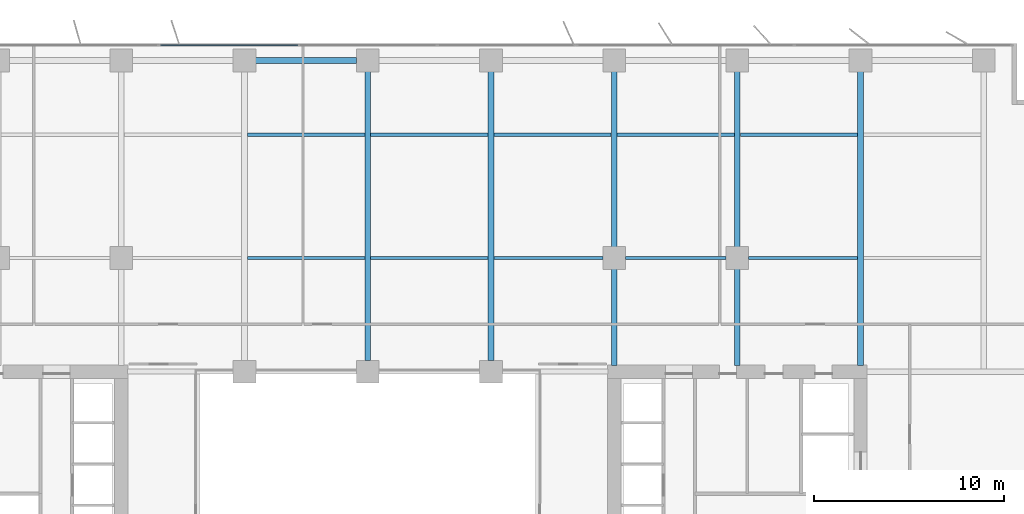
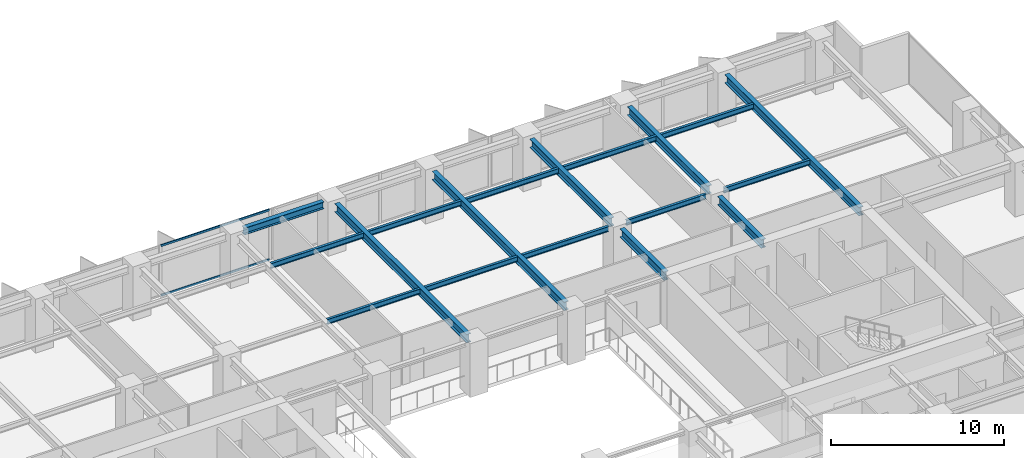
# One storey, part 8 of 20: 18 beams, 2 members, 1 element without a shape of its own.
"""IFC4 building model written with IfcOpenShell, lengths in metres."""

from ifc_helpers import new_model, si_unit, direction, frame, origin, origin_2d, place, context, subcontext, project, spatial, rectangle, i_section, extrude, material, layer, layer_set, material_profile, profile_set, type_object, element, aggregate, save


model = new_model("IFC4")

# Units and contexts
model_context = context("Model", 3, precision=1e-05, world=origin(), true_north=direction((0.0, 1.0)))
body_context = subcontext(model_context, "Body", "Model", "MODEL_VIEW")
ifc_project = project(units=[si_unit("LENGTHUNIT", "METRE"), si_unit("AREAUNIT", "SQUARE_METRE"), si_unit("VOLUMEUNIT", "CUBIC_METRE"), si_unit("PLANEANGLEUNIT", "RADIAN"), si_unit("MASSUNIT", "GRAM", prefix="KILO")], contexts=[model_context])

# Site, building, storey
site_placement = place(None, origin())
site = spatial("IfcSite", under=ifc_project, at=site_placement, CompositionType="ELEMENT")
building_placement = place(site_placement, origin())
building = spatial("IfcBuilding", under=site, at=building_placement, Name="Putna Gate Headquarters", CompositionType="ELEMENT")
storey_placement = place(building_placement, frame((0.0, 0.0, 97.39990234375)))
storey = spatial("IfcBuildingStorey", under=building, at=storey_placement, Name="L23", CompositionType="ELEMENT", Elevation=97.39990234375)

# Beams
ifc_material_1 = material(Name="Steel S355J2", Category="steel")
ifc_material_profile_1 = material_profile(ifc_material_1, i_section(OverallWidth=0.300048828125, OverallDepth=0.60009765625, WebThickness=0.015380859375, FlangeThickness=0.030029296875, at=origin_2d()), Name="Steel S355J2")
ifc_profile_set_1 = profile_set([ifc_material_profile_1], Name="Steel S355J2")
beam_type_1 = type_object("IfcBeamType", Name="BM-GIRD-Z2-HEB600", PredefinedType="USERDEFINED", material=ifc_profile_set_1)
for number, where, z_axis, x_axis, name in (
    (1, (39.0, 33.587890625, 3.26513671875), (0.0, 1.0, 0.0), (-1.0, 0.0, 0.0), "L23 North Primary Girder X39"),
    (2, (45.5, 33.587890625, 3.26513671875), (0.0, 1.0, 0.0), (-1.0, 0.0, 0.0), "L23 North Primary Girder X45"),
):
    element("IfcBeam", number, at=place(storey_placement, frame(where, z_axis=z_axis, x_axis=x_axis)), inside=storey, type_object=beam_type_1, Name=name, ObjectType="GIRDER", PredefinedType="USERDEFINED", context=body_context, shape_type="SweptSolid", body=[
        extrude(i_section(OverallWidth=0.300048828125, OverallDepth=0.60009765625, WebThickness=0.015380859375, FlangeThickness=0.030029296875, at=origin_2d()), origin(), (0.0, 0.0, 1.0), 15.244140625),
    ])
beam_1_placement = place(storey_placement, frame((52.0, 33.3349609375, 3.26513671875), z_axis=(0.0, 1.0, 0.0), x_axis=(-1.0, 0.0, 0.0)))
element("IfcBeam", 3, at=beam_1_placement, inside=storey, type_object=beam_type_1, Name="L23 North Primary Girder X52-1", ObjectType="GIRDER", PredefinedType="USERDEFINED", context=body_context, shape_type="SweptSolid", body=[
    extrude(i_section(OverallWidth=0.300048828125, OverallDepth=0.60009765625, WebThickness=0.015380859375, FlangeThickness=0.030029296875, at=origin_2d()), origin(), (0.0, 0.0, 1.0), 5.0771484375),
])
beam_2_placement = place(storey_placement, frame((52.0, 39.587890625, 3.26513671875), z_axis=(0.0, 1.0, 0.0), x_axis=(-1.0, 0.0, 0.0)))
element("IfcBeam", 4, at=beam_2_placement, inside=storey, type_object=beam_type_1, Name="L23 North Primary Girder X52-2", ObjectType="GIRDER", PredefinedType="USERDEFINED", context=body_context, shape_type="SweptSolid", body=[
    extrude(i_section(OverallWidth=0.300048828125, OverallDepth=0.60009765625, WebThickness=0.015380859375, FlangeThickness=0.030029296875, at=origin_2d()), origin(), (0.0, 0.0, 1.0), 9.244140625),
])
beam_3_placement = place(storey_placement, frame((58.5, 33.3349609375, 3.26513671875), z_axis=(0.0, 1.0, 0.0), x_axis=(-1.0, 0.0, 0.0)))
element("IfcBeam", 5, at=beam_3_placement, inside=storey, type_object=beam_type_1, Name="L23 North Primary Girder X58-1", ObjectType="GIRDER", PredefinedType="USERDEFINED", context=body_context, shape_type="SweptSolid", body=[
    extrude(i_section(OverallWidth=0.300048828125, OverallDepth=0.60009765625, WebThickness=0.015380859375, FlangeThickness=0.030029296875, at=origin_2d()), origin(), (0.0, 0.0, 1.0), 5.0771484375),
])
beam_4_placement = place(storey_placement, frame((58.5, 39.587890625, 3.26513671875), z_axis=(0.0, 1.0, 0.0), x_axis=(-1.0, 0.0, 0.0)))
element("IfcBeam", 6, at=beam_4_placement, inside=storey, type_object=beam_type_1, Name="L23 North Primary Girder X58-2", ObjectType="GIRDER", PredefinedType="USERDEFINED", context=body_context, shape_type="SweptSolid", body=[
    extrude(i_section(OverallWidth=0.300048828125, OverallDepth=0.60009765625, WebThickness=0.015380859375, FlangeThickness=0.030029296875, at=origin_2d()), origin(), (0.0, 0.0, 1.0), 9.244140625),
])
beam_5_placement = place(storey_placement, frame((65.0, 33.3349609375, 3.26513671875), z_axis=(0.0, 1.0, 0.0), x_axis=(-1.0, 0.0, 0.0)))
element("IfcBeam", 7, at=beam_5_placement, inside=storey, type_object=beam_type_1, Name="L23 North Primary Girder X65", ObjectType="GIRDER", PredefinedType="USERDEFINED", context=body_context, shape_type="SweptSolid", body=[
    extrude(i_section(OverallWidth=0.300048828125, OverallDepth=0.60009765625, WebThickness=0.015380859375, FlangeThickness=0.030029296875, at=origin_2d()), origin(), (0.0, 0.0, 1.0), 15.4970703125),
])
ifc_material_profile_2 = material_profile(ifc_material_1, i_section(OverallWidth=0.169921875, OverallDepth=0.360107421875, WebThickness=0.008056640625, FlangeThickness=0.0126953125, at=origin_2d()), Name="Steel S355J2")
ifc_profile_set_2 = profile_set([ifc_material_profile_2], Name="Steel S355J2")
beam_type_2 = type_object("IfcBeamType", Name="BM-SEC-Z2-IPE360", PredefinedType="BEAM", material=ifc_profile_set_2)
for number, where, z_axis, x_axis, name in (
    (8, (32.654052734375, 39.0, 3.385009765625), (1.0, 0.0, 0.0), (0.0, 1.0, 0.0), "L23 North Secondary Beam 5"),
    (9, (32.654052734375, 45.5, 3.385009765625), (1.0, 0.0, 0.0), (0.0, 1.0, 0.0), "L23 North Secondary Beam 5"),
    (10, (39.154052734375, 39.0, 3.385009765625), (1.0, 0.0, 0.0), (0.0, 1.0, 0.0), "L23 North Secondary Beam 6"),
    (11, (39.154052734375, 45.5, 3.385009765625), (1.0, 0.0, 0.0), (0.0, 1.0, 0.0), "L23 North Secondary Beam 6"),
):
    element("IfcBeam", number, at=place(storey_placement, frame(where, z_axis=z_axis, x_axis=x_axis)), inside=storey, type_object=beam_type_2, Name=name, PredefinedType="BEAM", context=body_context, shape_type="SweptSolid", body=[
        extrude(i_section(OverallWidth=0.169921875, OverallDepth=0.360107421875, WebThickness=0.008056640625, FlangeThickness=0.0126953125, at=origin_2d()), origin(), (0.0, 0.0, 1.0), 6.19189453125),
    ])
beam_6_placement = place(storey_placement, frame((45.654052734375, 39.0, 3.385009765625), z_axis=(1.0, 0.0, 0.0), x_axis=(0.0, 1.0, 0.0)))
element("IfcBeam", 12, at=beam_6_placement, inside=storey, type_object=beam_type_2, Name="L23 North Secondary Beam 7", PredefinedType="BEAM", context=body_context, shape_type="SweptSolid", body=[
    extrude(i_section(OverallWidth=0.169921875, OverallDepth=0.360107421875, WebThickness=0.008056640625, FlangeThickness=0.0126953125, at=origin_2d()), origin(), (0.0, 0.0, 1.0), 5.758056640625),
])
beam_7_placement = place(storey_placement, frame((45.654052734375, 45.5, 3.385009765625), z_axis=(1.0, 0.0, 0.0), x_axis=(0.0, 1.0, 0.0)))
element("IfcBeam", 13, at=beam_7_placement, inside=storey, type_object=beam_type_2, Name="L23 North Secondary Beam 7", PredefinedType="BEAM", context=body_context, shape_type="SweptSolid", body=[
    extrude(i_section(OverallWidth=0.169921875, OverallDepth=0.360107421875, WebThickness=0.008056640625, FlangeThickness=0.0126953125, at=origin_2d()), origin(), (0.0, 0.0, 1.0), 6.19189453125),
])
beam_8_placement = place(storey_placement, frame((52.587890625, 39.0, 3.385009765625), z_axis=(1.0, 0.0, 0.0), x_axis=(0.0, 1.0, 0.0)))
element("IfcBeam", 14, at=beam_8_placement, inside=storey, type_object=beam_type_2, Name="L23 North Secondary Beam 8", PredefinedType="BEAM", context=body_context, shape_type="SweptSolid", body=[
    extrude(i_section(OverallWidth=0.169921875, OverallDepth=0.360107421875, WebThickness=0.008056640625, FlangeThickness=0.0126953125, at=origin_2d()), origin(), (0.0, 0.0, 1.0), 5.32421875),
])
beam_9_placement = place(storey_placement, frame((52.154052734375, 45.5, 3.385009765625), z_axis=(1.0, 0.0, 0.0), x_axis=(0.0, 1.0, 0.0)))
element("IfcBeam", 15, at=beam_9_placement, inside=storey, type_object=beam_type_2, Name="L23 North Secondary Beam 8", PredefinedType="BEAM", context=body_context, shape_type="SweptSolid", body=[
    extrude(i_section(OverallWidth=0.169921875, OverallDepth=0.360107421875, WebThickness=0.008056640625, FlangeThickness=0.0126953125, at=origin_2d()), origin(), (0.0, 0.0, 1.0), 6.19189453125),
])
beam_10_placement = place(storey_placement, frame((59.087890625, 39.0, 3.385009765625), z_axis=(1.0, 0.0, 0.0), x_axis=(0.0, 1.0, 0.0)))
element("IfcBeam", 16, at=beam_10_placement, inside=storey, type_object=beam_type_2, Name="L23 North Secondary Beam 9", PredefinedType="BEAM", context=body_context, shape_type="SweptSolid", body=[
    extrude(i_section(OverallWidth=0.169921875, OverallDepth=0.360107421875, WebThickness=0.008056640625, FlangeThickness=0.0126953125, at=origin_2d()), origin(), (0.0, 0.0, 1.0), 5.758056640625),
])
beam_11_placement = place(storey_placement, frame((58.654052734375, 45.5, 3.385009765625), z_axis=(1.0, 0.0, 0.0), x_axis=(0.0, 1.0, 0.0)))
element("IfcBeam", 17, at=beam_11_placement, inside=storey, type_object=beam_type_2, Name="L23 North Secondary Beam 9", PredefinedType="BEAM", context=body_context, shape_type="SweptSolid", body=[
    extrude(i_section(OverallWidth=0.169921875, OverallDepth=0.360107421875, WebThickness=0.008056640625, FlangeThickness=0.0126953125, at=origin_2d()), origin(), (0.0, 0.0, 1.0), 6.19189453125),
])
ifc_material_profile_3 = material_profile(ifc_material_1, i_section(OverallWidth=0.300048828125, OverallDepth=0.489990234375, WebThickness=0.011962890625, FlangeThickness=0.02294921875, at=origin_2d()), Name="Steel S355J2")
ifc_profile_set_3 = profile_set([ifc_material_profile_3], Name="Steel S355J2")
beam_type_3 = type_object("IfcBeamType", Name="BM-SPAN-Z2-HEA500", PredefinedType="SPANDREL", material=ifc_profile_set_3)
beam_12_placement = place(storey_placement, frame((33.087890625, 49.419921875, 3.320068359375), z_axis=(1.0, 0.0, 0.0), x_axis=(0.0, 1.0, 0.0)))
element("IfcBeam", 18, at=beam_12_placement, inside=storey, type_object=beam_type_3, Name="L23 N Perimeter Spandrel 5", PredefinedType="SPANDREL", context=body_context, shape_type="SweptSolid", body=[
    extrude(i_section(OverallWidth=0.300048828125, OverallDepth=0.489990234375, WebThickness=0.011962890625, FlangeThickness=0.02294921875, at=origin_2d()), origin(), (0.0, 0.0, 1.0), 5.32421875),
])

# Curtain wall, members
ifc_material_2 = material(Name="Anodised bronze aluminium curtain wall", Category="aluminium")
ifc_layer = layer(ifc_material_2, 0.179931640625)
ifc_layer_set = layer_set([ifc_layer], Name="Anodised bronze aluminium curtain wall")
curtain_wall_type = type_object("IfcCurtainWallType", Name="CW-SYS-ATR", PredefinedType="USERDEFINED", material=ifc_layer_set)
curtain_wall_placement = place(storey_placement, origin())
curtain_wall = element("IfcCurtainWall", 19, at=curtain_wall_placement, inside=storey, type_object=curtain_wall_type, Name="L23 North Atrium Clear Glazing", ObjectType="ATRIUM GLAZING", PredefinedType="USERDEFINED")
ifc_material_3 = material(Name="Anodised bronze aluminium EN AW-6060", Category="aluminium")
ifc_material_profile_4 = material_profile(ifc_material_3, rectangle(XDim=0.070068359375, YDim=0.139892578125, at=origin_2d()), Name="Anodised bronze aluminium EN AW-6060")
ifc_profile_set_4 = profile_set([ifc_material_profile_4], Name="Anodised bronze aluminium EN AW-6060")
member_type = type_object("IfcMemberType", Name="TRAN-CWT-AT", PredefinedType="USERDEFINED", material=ifc_profile_set_4)
member_1_placement = place(storey_placement, frame((28.070068359375, 50.219970703125, 0.03515625), z_axis=(1.0, 0.0, 0.0), x_axis=(0.0, 1.0, 0.0)))
member_1 = element("IfcMember", 20, at=member_1_placement, type_object=member_type, Name="CWS-AT transom 1.1", ObjectType="TRANSOM", PredefinedType="USERDEFINED", context=body_context, shape_type="SweptSolid", body=[
    extrude(rectangle(XDim=0.070068359375, YDim=0.139892578125, at=origin_2d()), origin(), (0.0, 0.0, 1.0), 7.228271484375),
])
member_2_placement = place(storey_placement, frame((28.070068359375, 50.219970703125, 3.530029296875), z_axis=(1.0, 0.0, 0.0), x_axis=(0.0, 1.0, 0.0)))
member_2 = element("IfcMember", 21, at=member_2_placement, type_object=member_type, Name="CWS-AT transom 1.2", ObjectType="TRANSOM", PredefinedType="USERDEFINED", context=body_context, shape_type="SweptSolid", body=[
    extrude(rectangle(XDim=0.070068359375, YDim=0.139892578125, at=origin_2d()), origin(), (0.0, 0.0, 1.0), 7.228271484375),
])
aggregate(curtain_wall, [member_1, member_2])

save(model, "model.ifc")
